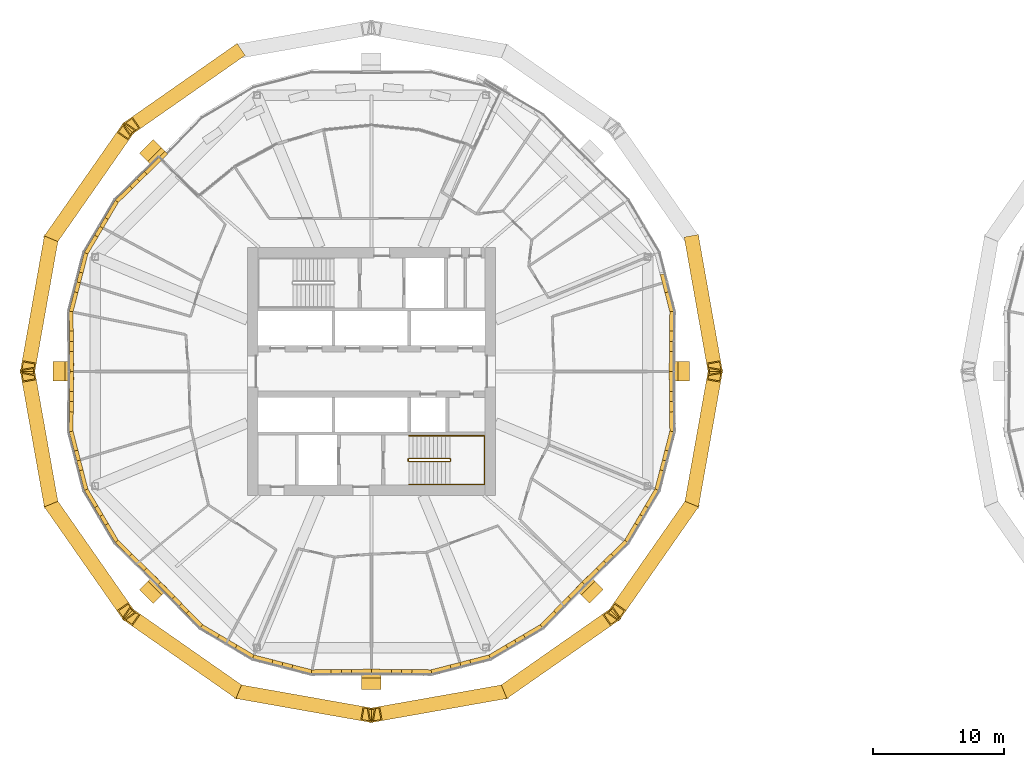
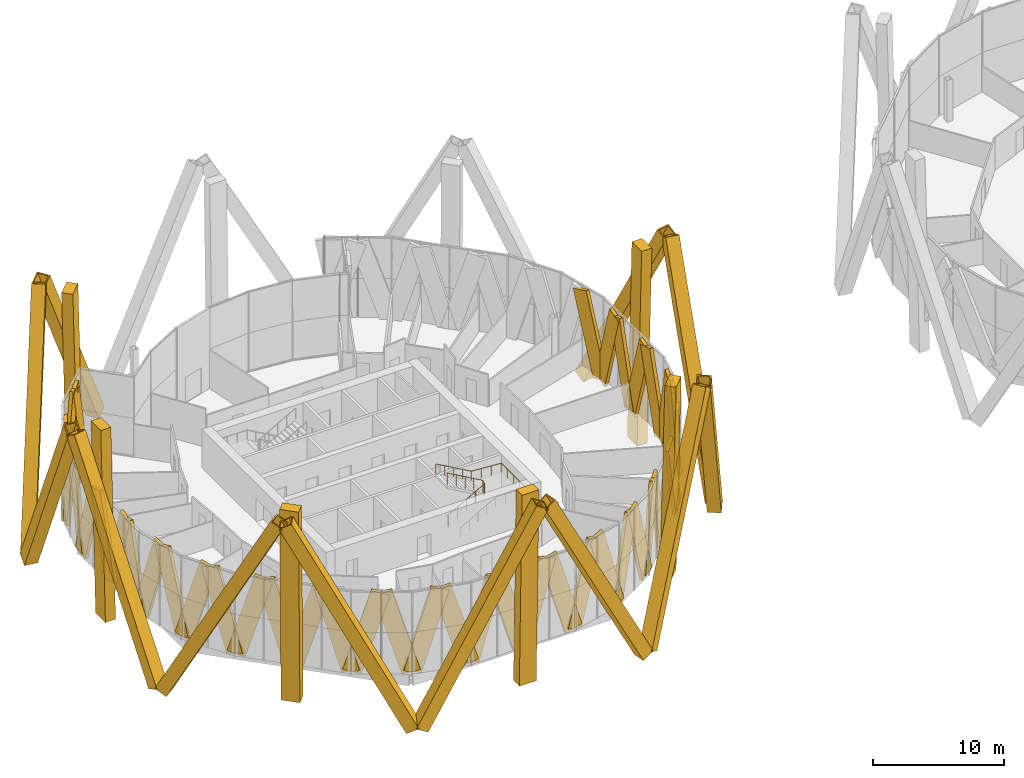
# One storey, part 28 of 31: 61 coverings, 2 railings.
"""IFC4 building model written with IfcOpenShell, lengths in metres."""

from ifc_helpers import new_model, si_unit, direction, frame, origin, origin_2d, place, context, subcontext, project, spatial, rectangle, hollow_rectangle, circle, extrude, material, material_profile, profile_set, type_object, element, save


model = new_model("IFC4")

# Units and contexts
model_context = context("Model", 3, precision=1e-05, world=origin(), true_north=direction((0.0, 1.0)))
body_context = subcontext(model_context, "Body", "Model", "MODEL_VIEW")
ifc_project = project(units=[si_unit("LENGTHUNIT", "METRE"), si_unit("AREAUNIT", "SQUARE_METRE"), si_unit("VOLUMEUNIT", "CUBIC_METRE"), si_unit("PLANEANGLEUNIT", "RADIAN"), si_unit("MASSUNIT", "GRAM", prefix="KILO")], contexts=[model_context])

# Site, building, storey
site_placement = place(None, origin())
site = spatial("IfcSite", under=ifc_project, at=site_placement, CompositionType="ELEMENT")
building_placement = place(site_placement, origin())
building = spatial("IfcBuilding", under=site, at=building_placement, Name="Ogive Gate Towers", CompositionType="ELEMENT")
storey_placement = place(building_placement, frame((0.0, 0.0, 55.800048828125)))
storey = spatial("IfcBuildingStorey", under=building, at=storey_placement, Name="L12", CompositionType="ELEMENT", Elevation=55.800048828125)

# Coverings
ifc_material_1 = material(Name="Pale metal aluminium", Category="aluminium")
ifc_material_profile_1 = material_profile(ifc_material_1, rectangle(XDim=1.5, YDim=0.89990234375, at=origin_2d()), Name="1500 x 900 pale metal aluminium")
ifc_profile_set_1 = profile_set([ifc_material_profile_1], Name="Pale metal aluminium")
covering_type_1 = type_object("IfcCoveringType", Name="Crease colonnette 1500 x 900", PredefinedType="CLADDING", material=ifc_profile_set_1)
for number, where, z_axis, x_axis, name in (
    (1, (-12.489990234375, 0.0, -3.199951171875), (0.022641455512, 0.0, 0.999743649388), (0.0, 1.0, 0.0), "Crease colonnette"),
    (2, (-52.6240234375, 16.6240234375, -3.199951171875), (-0.016020274109, 0.016020274109, 0.999743317875), (-0.707106781187, -0.707106781187, 0.0), "Crease colonnette"),
    (3, (-59.510009765625, 0.0, -3.199951171875), (-0.022641455512, 0.0, 0.999743649388), (0.0, -1.0, 0.0), "Crease colonnette"),
    (4, (-52.6240234375, -16.6240234375, -3.199951171875), (-0.016020274109, -0.016020274109, 0.999743317875), (0.707106781187, -0.707106781187, 0.0), "Crease colonnette"),
    (5, (-36.0, -23.510009765625, -3.199951171875), (0.0, -0.022641455512, 0.999743649388), (1.0, 0.0, 0.0), "Crease colonnette"),
    (6, (-19.3759765625, -16.6240234375, -3.199951171875), (0.016020274109, -0.016020274109, 0.999743317875), (0.707106781187, 0.707106781187, 0.0), "Crease colonnette"),
):
    element("IfcCovering", number, at=place(storey_placement, frame(where, z_axis=z_axis, x_axis=x_axis)), inside=storey, type_object=covering_type_1, Name=name, PredefinedType="CLADDING", context=body_context, shape_type="SweptSolid", body=[
        extrude(rectangle(XDim=1.5, YDim=0.89990234375, at=origin_2d()), origin(), (0.0, 0.0, 1.0), 18.1044921875),
    ])
ifc_material_2 = material(Name="Pale metal aluminium cladding", Category="aluminium")
ifc_material_profile_2 = material_profile(ifc_material_2, hollow_rectangle(XDim=1.10009765625, YDim=1.10009765625, WallThickness=0.10009765625, at=origin_2d()), Name="1100 x 1100 pale metal casing")
ifc_profile_set_2 = profile_set([ifc_material_profile_2], Name="Pale metal aluminium cladding")
covering_type_2 = type_object("IfcCoveringType", Name="Diagrid casing 1100 x 1100", PredefinedType="CLADDING", material=ifc_profile_set_2)
for number, where, z_axis, x_axis, name in (
    (7, (-11.426025390625, 9.906982421875, -3.4140625), (0.081633060941, -0.460529727874, 0.8838825788), (0.984650404569, 0.174538192904, 0.0), "Diagrid casing"),
    (8, (-46.37109375, 24.381591796875, -3.4140625), (-0.383368285063, -0.267924536079, 0.88388076174), (0.572840470443, -0.819666880765, 0.0), "Diagrid casing"),
    (9, (-60.381591796875, 10.37109375, -3.4140625), (0.267924536079, 0.383368285063, 0.88388076174), (-0.819666880765, 0.572840470443, 0.0), "Diagrid casing"),
    (10, (-60.573974609375, 9.906982421875, -3.4140625), (-0.081633060941, -0.460529727874, 0.8838825788), (0.984650404569, -0.174538192904, 0.0), "Diagrid casing"),
    (11, (-60.573974609375, -9.906982421875, -3.4140625), (-0.081633060941, 0.460529727874, 0.8838825788), (-0.984650404569, -0.174538192904, 0.0), "Diagrid casing"),
    (12, (-60.381591796875, -10.37109375, -3.4140625), (0.267924536079, -0.383368285063, 0.88388076174), (0.819666880765, 0.572840470443, 0.0), "Diagrid casing"),
    (13, (-46.37109375, -24.381591796875, -3.4140625), (-0.383368285063, 0.267924536079, 0.88388076174), (-0.572840470443, -0.819666880765, 0.0), "Diagrid casing"),
    (14, (-45.906982421875, -24.573974609375, -3.4140625), (0.460529727874, -0.081633060941, 0.8838825788), (0.174538192904, 0.984650404569, 0.0), "Diagrid casing"),
    (15, (-26.093017578125, -24.573974609375, -3.4140625), (-0.460529727874, -0.081633060941, 0.8838825788), (0.174538192904, -0.984650404569, 0.0), "Diagrid casing"),
    (16, (-25.62890625, -24.381591796875, -3.4140625), (0.383368285063, 0.267924536079, 0.88388076174), (-0.572840470443, 0.819666880765, 0.0), "Diagrid casing"),
    (17, (-11.618408203125, -10.37109375, -3.4140625), (-0.267924536079, -0.383368285063, 0.88388076174), (0.819666880765, -0.572840470443, 0.0), "Diagrid casing"),
    (18, (-11.426025390625, -9.906982421875, -3.4140625), (0.081633060941, 0.460529727874, 0.8838825788), (-0.984650404569, 0.174538192904, 0.0), "Diagrid casing"),
):
    element("IfcCovering", number, at=place(storey_placement, frame(where, z_axis=z_axis, x_axis=x_axis)), inside=storey, type_object=covering_type_2, Name=name, PredefinedType="CLADDING", context=body_context, shape_type="SweptSolid", body=[
        extrude(hollow_rectangle(XDim=1.10009765625, YDim=1.10009765625, WallThickness=0.10009765625, at=origin_2d()), origin(), (0.0, 0.0, 1.0), 20.9619140625),
    ])
ifc_material_profile_3 = material_profile(ifc_material_1, rectangle(XDim=0.300048828125, YDim=1.5, at=origin_2d()), Name="1500 x 300 pale metal aluminium")
ifc_profile_set_3 = profile_set([ifc_material_profile_3], Name="Pale metal aluminium")
covering_type_3 = type_object("IfcCoveringType", Name="Facade fin 1500 x 300", PredefinedType="CLADDING", material=ifc_profile_set_3)
covering_1_placement = place(storey_placement, frame((-13.011962890625, 4.61865234375, -0.135009765625), z_axis=(-0.071405278289, 0.277718929024, 0.958004949201), x_axis=(-0.96849979633, -0.249014345988, 0.0)))
element("IfcCovering", 19, at=covering_1_placement, inside=storey, type_object=covering_type_3, Name="Facade fin", PredefinedType="CLADDING", context=body_context, shape_type="SweptSolid", body=[
    extrude(rectangle(XDim=0.300048828125, YDim=1.5, at=origin_2d()), origin(), (0.0, 0.0, 1.0), 7.69287109375),
])
for number, where, z_axis, x_axis, name in (
    (20, (-13.003173828125, 4.5478515625, -0.137451171875), (-0.002920753396, -0.283313079381, 0.959023028009), (0.999946863625, -0.010308730553, 0.0), "Facade fin"),
    (21, (-13.04931640625, 0.06494140625, -0.137451171875), (0.002920753396, 0.283313079381, 0.959023028009), (-0.999946863625, 0.010308730553, 0.0), "Facade fin"),
    (22, (-58.95068359375, 0.06494140625, -0.137451171875), (-0.002920753396, 0.283313079381, 0.959023028009), (-0.999946863625, -0.010308730553, 0.0), "Facade fin"),
    (23, (-58.996826171875, 4.5478515625, -0.137451171875), (0.002920753396, -0.283313079381, 0.959023028009), (0.999946863625, 0.010308730553, 0.0), "Facade fin"),
):
    element("IfcCovering", number, at=place(storey_placement, frame(where, z_axis=z_axis, x_axis=x_axis)), inside=storey, type_object=covering_type_3, Name=name, PredefinedType="CLADDING", context=body_context, shape_type="SweptSolid", body=[
        extrude(rectangle(XDim=0.300048828125, YDim=1.5, at=origin_2d()), origin(), (0.0, 0.0, 1.0), 7.690185546875),
    ])
covering_2_placement = place(storey_placement, frame((-58.988037109375, 4.61865234375, -0.135009765625), z_axis=(0.071405278289, 0.277718929024, 0.958004949201), x_axis=(-0.96849979633, 0.249014345988, 0.0)))
element("IfcCovering", 24, at=covering_2_placement, inside=storey, type_object=covering_type_3, Name="Facade fin", PredefinedType="CLADDING", context=body_context, shape_type="SweptSolid", body=[
    extrude(rectangle(XDim=0.300048828125, YDim=1.5, at=origin_2d()), origin(), (0.0, 0.0, 1.0), 7.69287109375),
])
covering_3_placement = place(storey_placement, frame((-57.857421875, 9.0166015625, -0.135009765625), z_axis=(-0.071404648924, -0.277748216613, 0.957996505359), x_axis=(0.968506657857, -0.248987657699, 0.0)))
element("IfcCovering", 25, at=covering_3_placement, inside=storey, type_object=covering_type_3, Name="Facade fin", PredefinedType="CLADDING", context=body_context, shape_type="SweptSolid", body=[
    extrude(rectangle(XDim=0.300048828125, YDim=1.5, at=origin_2d()), origin(), (0.0, 0.0, 1.0), 7.693115234375),
])
covering_4_placement = place(storey_placement, frame((-57.831298828125, 9.079833984375, -0.135009765625), z_axis=(0.145919775479, 0.246870363952, 0.957999187122), x_axis=(-0.860862630636, 0.508837430989, 0.0)))
element("IfcCovering", 26, at=covering_4_placement, inside=storey, type_object=covering_type_3, Name="Facade fin", PredefinedType="CLADDING", context=body_context, shape_type="SweptSolid", body=[
    extrude(rectangle(XDim=0.300048828125, YDim=1.5, at=origin_2d()), origin(), (0.0, 0.0, 1.0), 7.69287109375),
])
covering_5_placement = place(storey_placement, frame((-55.520751953125, 12.9892578125, -0.135009765625), z_axis=(-0.145918632203, -0.246900164972, 0.957991681234), x_axis=(0.860891279415, -0.508788959223, 0.0)))
element("IfcCovering", 27, at=covering_5_placement, inside=storey, type_object=covering_type_3, Name="Facade fin", PredefinedType="CLADDING", context=body_context, shape_type="SweptSolid", body=[
    extrude(rectangle(XDim=0.300048828125, YDim=1.5, at=origin_2d()), origin(), (0.0, 0.0, 1.0), 7.693115234375),
])
covering_6_placement = place(storey_placement, frame((-55.47509765625, 13.04736328125, -0.13330078125), z_axis=(0.206424972085, 0.20220509485, 0.957341021014), x_axis=(-0.699767255919, 0.714370903343, 0.0)))
element("IfcCovering", 28, at=covering_6_placement, inside=storey, type_object=covering_type_3, Name="Facade fin", PredefinedType="CLADDING", context=body_context, shape_type="SweptSolid", body=[
    extrude(rectangle(XDim=0.300048828125, YDim=1.5, at=origin_2d()), origin(), (0.0, 0.0, 1.0), 7.69482421875),
])
covering_7_placement = place(storey_placement, frame((-52.205078125, 16.250732421875, -0.13330078125), z_axis=(-0.206394595374, -0.202206419111, 0.957347290731), x_axis=(0.69982214738, -0.714317129877, 0.0)))
element("IfcCovering", 29, at=covering_7_placement, inside=storey, type_object=covering_type_3, Name="Facade fin", PredefinedType="CLADDING", context=body_context, shape_type="SweptSolid", body=[
    extrude(rectangle(XDim=0.300048828125, YDim=1.5, at=origin_2d()), origin(), (0.0, 0.0, 1.0), 7.694580078125),
])
for number, where, z_axis, x_axis, name in (
    (30, (-52.2744140625, -16.1826171875, -0.137451171875), (-0.202389732074, 0.19826256891, 0.959025729645), (-0.699785669769, -0.714352865457, 0.0), "Facade fin"),
    (31, (-55.47705078125, -13.04541015625, -0.137451171875), (0.202389732074, -0.19826256891, 0.959025729645), (0.699785669769, 0.714352865457, 0.0), "Facade fin"),
):
    element("IfcCovering", number, at=place(storey_placement, frame(where, z_axis=z_axis, x_axis=x_axis)), inside=storey, type_object=covering_type_3, Name=name, PredefinedType="CLADDING", context=body_context, shape_type="SweptSolid", body=[
        extrude(rectangle(XDim=0.300048828125, YDim=1.5, at=origin_2d()), origin(), (0.0, 0.0, 1.0), 7.690185546875),
    ])
covering_8_placement = place(storey_placement, frame((-55.520751953125, -12.9892578125, -0.135009765625), z_axis=(-0.145918632203, 0.246900164972, 0.957991681234), x_axis=(-0.860891279415, -0.508788959223, 0.0)))
element("IfcCovering", 32, at=covering_8_placement, inside=storey, type_object=covering_type_3, Name="Facade fin", PredefinedType="CLADDING", context=body_context, shape_type="SweptSolid", body=[
    extrude(rectangle(XDim=0.300048828125, YDim=1.5, at=origin_2d()), origin(), (0.0, 0.0, 1.0), 7.693115234375),
])
covering_9_placement = place(storey_placement, frame((-57.831298828125, -9.079833984375, -0.135009765625), z_axis=(0.145919775479, -0.246870363952, 0.957999187122), x_axis=(0.860862630636, 0.508837430989, 0.0)))
element("IfcCovering", 33, at=covering_9_placement, inside=storey, type_object=covering_type_3, Name="Facade fin", PredefinedType="CLADDING", context=body_context, shape_type="SweptSolid", body=[
    extrude(rectangle(XDim=0.300048828125, YDim=1.5, at=origin_2d()), origin(), (0.0, 0.0, 1.0), 7.69287109375),
])
covering_10_placement = place(storey_placement, frame((-57.857421875, -9.0166015625, -0.135009765625), z_axis=(-0.071404648924, 0.277748216613, 0.957996505359), x_axis=(-0.968506657857, -0.248987657699, 0.0)))
element("IfcCovering", 34, at=covering_10_placement, inside=storey, type_object=covering_type_3, Name="Facade fin", PredefinedType="CLADDING", context=body_context, shape_type="SweptSolid", body=[
    extrude(rectangle(XDim=0.300048828125, YDim=1.5, at=origin_2d()), origin(), (0.0, 0.0, 1.0), 7.693115234375),
])
covering_11_placement = place(storey_placement, frame((-58.988037109375, -4.61865234375, -0.135009765625), z_axis=(0.071405278289, -0.277718929024, 0.958004949201), x_axis=(0.96849979633, 0.249014345988, 0.0)))
element("IfcCovering", 35, at=covering_11_placement, inside=storey, type_object=covering_type_3, Name="Facade fin", PredefinedType="CLADDING", context=body_context, shape_type="SweptSolid", body=[
    extrude(rectangle(XDim=0.300048828125, YDim=1.5, at=origin_2d()), origin(), (0.0, 0.0, 1.0), 7.69287109375),
])
for number, where, z_axis, x_axis, name in (
    (36, (-58.996826171875, -4.5478515625, -0.137451171875), (0.002920753396, 0.283313079381, 0.959023028009), (-0.999946863625, 0.010308730553, 0.0), "Facade fin"),
    (37, (-58.95068359375, -0.06494140625, -0.137451171875), (-0.002920753396, -0.283313079381, 0.959023028009), (0.999946863625, -0.010308730553, 0.0), "Facade fin"),
    (38, (-36.06494140625, -22.95068359375, -0.137451171875), (-0.283313079381, -0.002920753396, 0.959023028009), (0.010308730553, -0.999946863625, 0.0), "Facade fin"),
    (39, (-40.5478515625, -22.996826171875, -0.137451171875), (0.283313079381, 0.002920753396, 0.959023028009), (-0.010308730553, 0.999946863625, 0.0), "Facade fin"),
):
    element("IfcCovering", number, at=place(storey_placement, frame(where, z_axis=z_axis, x_axis=x_axis)), inside=storey, type_object=covering_type_3, Name=name, PredefinedType="CLADDING", context=body_context, shape_type="SweptSolid", body=[
        extrude(rectangle(XDim=0.300048828125, YDim=1.5, at=origin_2d()), origin(), (0.0, 0.0, 1.0), 7.690185546875),
    ])
covering_12_placement = place(storey_placement, frame((-40.61865234375, -22.988037109375, -0.135009765625), z_axis=(-0.277718929024, 0.071405278289, 0.958004949201), x_axis=(-0.249014345988, -0.96849979633, 0.0)))
element("IfcCovering", 40, at=covering_12_placement, inside=storey, type_object=covering_type_3, Name="Facade fin", PredefinedType="CLADDING", context=body_context, shape_type="SweptSolid", body=[
    extrude(rectangle(XDim=0.300048828125, YDim=1.5, at=origin_2d()), origin(), (0.0, 0.0, 1.0), 7.69287109375),
])
covering_13_placement = place(storey_placement, frame((-45.0166015625, -21.857421875, -0.135009765625), z_axis=(0.277748216613, -0.071404648924, 0.957996505359), x_axis=(0.248987657699, 0.968506657857, 0.0)))
element("IfcCovering", 41, at=covering_13_placement, inside=storey, type_object=covering_type_3, Name="Facade fin", PredefinedType="CLADDING", context=body_context, shape_type="SweptSolid", body=[
    extrude(rectangle(XDim=0.300048828125, YDim=1.5, at=origin_2d()), origin(), (0.0, 0.0, 1.0), 7.693115234375),
])
covering_14_placement = place(storey_placement, frame((-45.079833984375, -21.831298828125, -0.135009765625), z_axis=(-0.246870363952, 0.145919775479, 0.957999187122), x_axis=(-0.508837430989, -0.860862630636, 0.0)))
element("IfcCovering", 42, at=covering_14_placement, inside=storey, type_object=covering_type_3, Name="Facade fin", PredefinedType="CLADDING", context=body_context, shape_type="SweptSolid", body=[
    extrude(rectangle(XDim=0.300048828125, YDim=1.5, at=origin_2d()), origin(), (0.0, 0.0, 1.0), 7.69287109375),
])
covering_15_placement = place(storey_placement, frame((-48.9892578125, -19.520751953125, -0.135009765625), z_axis=(0.246900164972, -0.145918632203, 0.957991681234), x_axis=(0.508788959223, 0.860891279415, 0.0)))
element("IfcCovering", 43, at=covering_15_placement, inside=storey, type_object=covering_type_3, Name="Facade fin", PredefinedType="CLADDING", context=body_context, shape_type="SweptSolid", body=[
    extrude(rectangle(XDim=0.300048828125, YDim=1.5, at=origin_2d()), origin(), (0.0, 0.0, 1.0), 7.693115234375),
])
for number, where, z_axis, x_axis, name in (
    (44, (-49.04541015625, -19.47705078125, -0.137451171875), (-0.19826256891, 0.202389732074, 0.959025729645), (-0.714352865457, -0.699785669769, 0.0), "Facade fin"),
    (45, (-52.1826171875, -16.2744140625, -0.137451171875), (0.19826256891, -0.202389732074, 0.959025729645), (0.714352865457, 0.699785669769, 0.0), "Facade fin"),
    (46, (-19.8173828125, -16.2744140625, -0.137451171875), (-0.19826256891, -0.202389732074, 0.959025729645), (0.714352865457, -0.699785669769, 0.0), "Facade fin"),
    (47, (-22.95458984375, -19.47705078125, -0.137451171875), (0.19826256891, 0.202389732074, 0.959025729645), (-0.714352865457, 0.699785669769, 0.0), "Facade fin"),
):
    element("IfcCovering", number, at=place(storey_placement, frame(where, z_axis=z_axis, x_axis=x_axis)), inside=storey, type_object=covering_type_3, Name=name, PredefinedType="CLADDING", context=body_context, shape_type="SweptSolid", body=[
        extrude(rectangle(XDim=0.300048828125, YDim=1.5, at=origin_2d()), origin(), (0.0, 0.0, 1.0), 7.690185546875),
    ])
covering_16_placement = place(storey_placement, frame((-23.0107421875, -19.520751953125, -0.135009765625), z_axis=(-0.246900164972, -0.145918632203, 0.957991681234), x_axis=(0.508788959223, -0.860891279415, 0.0)))
element("IfcCovering", 48, at=covering_16_placement, inside=storey, type_object=covering_type_3, Name="Facade fin", PredefinedType="CLADDING", context=body_context, shape_type="SweptSolid", body=[
    extrude(rectangle(XDim=0.300048828125, YDim=1.5, at=origin_2d()), origin(), (0.0, 0.0, 1.0), 7.693115234375),
])
covering_17_placement = place(storey_placement, frame((-26.920166015625, -21.831298828125, -0.135009765625), z_axis=(0.246870363952, 0.145919775479, 0.957999187122), x_axis=(-0.508837430989, 0.860862630636, 0.0)))
element("IfcCovering", 49, at=covering_17_placement, inside=storey, type_object=covering_type_3, Name="Facade fin", PredefinedType="CLADDING", context=body_context, shape_type="SweptSolid", body=[
    extrude(rectangle(XDim=0.300048828125, YDim=1.5, at=origin_2d()), origin(), (0.0, 0.0, 1.0), 7.69287109375),
])
covering_18_placement = place(storey_placement, frame((-26.9833984375, -21.857421875, -0.135009765625), z_axis=(-0.277748216613, -0.071404648924, 0.957996505359), x_axis=(0.248987657699, -0.968506657857, 0.0)))
element("IfcCovering", 50, at=covering_18_placement, inside=storey, type_object=covering_type_3, Name="Facade fin", PredefinedType="CLADDING", context=body_context, shape_type="SweptSolid", body=[
    extrude(rectangle(XDim=0.300048828125, YDim=1.5, at=origin_2d()), origin(), (0.0, 0.0, 1.0), 7.693115234375),
])
covering_19_placement = place(storey_placement, frame((-31.38134765625, -22.988037109375, -0.135009765625), z_axis=(0.277718929024, 0.071405278289, 0.958004949201), x_axis=(-0.249014345988, 0.96849979633, 0.0)))
element("IfcCovering", 51, at=covering_19_placement, inside=storey, type_object=covering_type_3, Name="Facade fin", PredefinedType="CLADDING", context=body_context, shape_type="SweptSolid", body=[
    extrude(rectangle(XDim=0.300048828125, YDim=1.5, at=origin_2d()), origin(), (0.0, 0.0, 1.0), 7.69287109375),
])
for number, where, z_axis, x_axis, name in (
    (52, (-31.4521484375, -22.996826171875, -0.137451171875), (-0.283313079381, 0.002920753396, 0.959023028009), (-0.010308730553, -0.999946863625, 0.0), "Facade fin"),
    (53, (-35.93505859375, -22.95068359375, -0.137451171875), (0.283313079381, -0.002920753396, 0.959023028009), (0.010308730553, 0.999946863625, 0.0), "Facade fin"),
    (54, (-13.04931640625, -0.06494140625, -0.137451171875), (0.002920753396, -0.283313079381, 0.959023028009), (0.999946863625, 0.010308730553, 0.0), "Facade fin"),
    (55, (-13.003173828125, -4.5478515625, -0.137451171875), (-0.002920753396, 0.283313079381, 0.959023028009), (-0.999946863625, -0.010308730553, 0.0), "Facade fin"),
):
    element("IfcCovering", number, at=place(storey_placement, frame(where, z_axis=z_axis, x_axis=x_axis)), inside=storey, type_object=covering_type_3, Name=name, PredefinedType="CLADDING", context=body_context, shape_type="SweptSolid", body=[
        extrude(rectangle(XDim=0.300048828125, YDim=1.5, at=origin_2d()), origin(), (0.0, 0.0, 1.0), 7.690185546875),
    ])
covering_20_placement = place(storey_placement, frame((-13.011962890625, -4.61865234375, -0.135009765625), z_axis=(-0.071405278289, -0.277718929024, 0.958004949201), x_axis=(0.96849979633, -0.249014345988, 0.0)))
element("IfcCovering", 56, at=covering_20_placement, inside=storey, type_object=covering_type_3, Name="Facade fin", PredefinedType="CLADDING", context=body_context, shape_type="SweptSolid", body=[
    extrude(rectangle(XDim=0.300048828125, YDim=1.5, at=origin_2d()), origin(), (0.0, 0.0, 1.0), 7.69287109375),
])
covering_21_placement = place(storey_placement, frame((-14.142578125, -9.0166015625, -0.135009765625), z_axis=(0.071404648924, 0.277748216613, 0.957996505359), x_axis=(-0.968506657857, 0.248987657699, 0.0)))
element("IfcCovering", 57, at=covering_21_placement, inside=storey, type_object=covering_type_3, Name="Facade fin", PredefinedType="CLADDING", context=body_context, shape_type="SweptSolid", body=[
    extrude(rectangle(XDim=0.300048828125, YDim=1.5, at=origin_2d()), origin(), (0.0, 0.0, 1.0), 7.693115234375),
])
covering_22_placement = place(storey_placement, frame((-14.168701171875, -9.079833984375, -0.135009765625), z_axis=(-0.145919775479, -0.246870363952, 0.957999187122), x_axis=(0.860862630636, -0.508837430989, 0.0)))
element("IfcCovering", 58, at=covering_22_placement, inside=storey, type_object=covering_type_3, Name="Facade fin", PredefinedType="CLADDING", context=body_context, shape_type="SweptSolid", body=[
    extrude(rectangle(XDim=0.300048828125, YDim=1.5, at=origin_2d()), origin(), (0.0, 0.0, 1.0), 7.69287109375),
])
covering_23_placement = place(storey_placement, frame((-16.479248046875, -12.9892578125, -0.135009765625), z_axis=(0.145918632203, 0.246900164972, 0.957991681234), x_axis=(-0.860891279415, 0.508788959223, 0.0)))
element("IfcCovering", 59, at=covering_23_placement, inside=storey, type_object=covering_type_3, Name="Facade fin", PredefinedType="CLADDING", context=body_context, shape_type="SweptSolid", body=[
    extrude(rectangle(XDim=0.300048828125, YDim=1.5, at=origin_2d()), origin(), (0.0, 0.0, 1.0), 7.693115234375),
])
for number, where, z_axis, x_axis, name in (
    (60, (-16.52294921875, -13.04541015625, -0.137451171875), (-0.202389732074, -0.19826256891, 0.959025729645), (0.699785669769, -0.714352865457, 0.0), "Facade fin"),
    (61, (-19.7255859375, -16.1826171875, -0.137451171875), (0.202389732074, 0.19826256891, 0.959025729645), (-0.699785669769, 0.714352865457, 0.0), "Facade fin"),
):
    element("IfcCovering", number, at=place(storey_placement, frame(where, z_axis=z_axis, x_axis=x_axis)), inside=storey, type_object=covering_type_3, Name=name, PredefinedType="CLADDING", context=body_context, shape_type="SweptSolid", body=[
        extrude(rectangle(XDim=0.300048828125, YDim=1.5, at=origin_2d()), origin(), (0.0, 0.0, 1.0), 7.690185546875),
    ])

# Railings
ifc_material_3 = material(Name="Stainless steel", Category="steel")
railing_type_1 = type_object("IfcRailingType", Name="Stair guard 1100", PredefinedType="GUARDRAIL", material=ifc_material_3)
railing_1_placement = place(storey_placement, frame((-33.18505859375, -6.860107421875, 0.0)))
element("IfcRailing", 62, at=railing_1_placement, inside=storey, type_object=railing_type_1, Name="L12 ST2 stair guard 1", PredefinedType="GUARDRAIL", context=body_context, shape_type="SweptSolid", body=[
    extrude(circle(Radius=0.02392578125, at=origin_2d()), frame((0.0, 0.0, 1.076171875), z_axis=(0.0, 1.0, 0.0), x_axis=(-1.0, 0.0, 0.0)), (0.0, 0.0, 1.0), 0.14501953125),
    extrude(circle(Radius=0.02392578125, at=origin_2d()), frame((0.0, 0.14501953125, 1.076171875), z_axis=(0.186679794065, -0.726685247142, 0.661119660934), x_axis=(0.968551454522, 0.24881334358, 0.0)), (0.0, 0.0, 1.0), 0.26806640625),
    extrude(circle(Radius=0.02392578125, at=origin_2d()), frame((0.050048828125, -0.0498046875, 1.25341796875), z_axis=(0.870572935281, 0.0, 0.492039393094), x_axis=(0.0, 1.0, 0.0)), (0.0, 0.0, 1.0), 3.602783203125),
    extrude(circle(Radius=0.02392578125, at=origin_2d()), frame((3.1865234375, -0.0498046875, 3.02587890625), z_axis=(0.707106781187, 0.707106781187, 0.0), x_axis=(-0.707106781187, 0.707106781187, 0.0)), (0.0, 0.0, 1.0), 0.0703125),
    extrude(circle(Radius=0.02392578125, at=origin_2d()), frame((3.236328125, 0.0, 3.02587890625), z_axis=(0.0, 1.0, 0.0), x_axis=(-1.0, 0.0, 0.0)), (0.0, 0.0, 1.0), 0.14501953125),
    extrude(circle(Radius=0.02392578125, at=origin_2d()), frame((3.236328125, 0.14501953125, 3.02587890625), z_axis=(-0.261041864531, 0.262321481514, 0.929001929653), x_axis=(-0.708833529934, -0.705375805398, 0.0)), (0.0, 0.0, 1.0), 0.190673828125),
    extrude(circle(Radius=0.02392578125, at=origin_2d()), frame((3.1865234375, 0.195068359375, 3.203125), z_axis=(-0.870572935281, 0.0, 0.492039393094), x_axis=(0.0, -1.0, 0.0)), (0.0, 0.0, 1.0), 3.602783203125),
    extrude(circle(Radius=0.02099609375, at=origin_2d()), origin(), (0.0, 0.0, 1.0), 1.052001953125),
    extrude(circle(Radius=0.02099609375, at=origin_2d()), frame((0.0, 0.14501953125, 0.0)), (0.0, 0.0, 1.0), 1.052001953125),
    extrude(circle(Radius=0.02099609375, at=origin_2d()), frame((0.050048828125, -0.0498046875, 0.17724609375)), (0.0, 0.0, 1.0), 1.052001953125),
    extrude(circle(Radius=0.02099609375, at=origin_2d()), frame((0.834228515625, -0.0498046875, 0.620361328125)), (0.0, 0.0, 1.0), 1.052001953125),
    extrude(circle(Radius=0.02099609375, at=origin_2d()), frame((1.6181640625, -0.0498046875, 1.0634765625)), (0.0, 0.0, 1.0), 1.052001953125),
    extrude(circle(Radius=0.02099609375, at=origin_2d()), frame((2.40234375, -0.0498046875, 1.5068359375)), (0.0, 0.0, 1.0), 1.052001953125),
    extrude(circle(Radius=0.02099609375, at=origin_2d()), frame((3.1865234375, -0.0498046875, 1.949951171875)), (0.0, 0.0, 1.0), 1.052001953125),
    extrude(circle(Radius=0.02099609375, at=origin_2d()), frame((3.236328125, 0.0, 1.949951171875)), (0.0, 0.0, 1.0), 1.052001953125),
    extrude(circle(Radius=0.02099609375, at=origin_2d()), frame((3.236328125, 0.14501953125, 1.949951171875)), (0.0, 0.0, 1.0), 1.052001953125),
    extrude(circle(Radius=0.02099609375, at=origin_2d()), frame((3.1865234375, 0.195068359375, 2.127197265625)), (0.0, 0.0, 1.0), 1.052001953125),
    extrude(circle(Radius=0.02099609375, at=origin_2d()), frame((2.40234375, 0.195068359375, 2.5703125)), (0.0, 0.0, 1.0), 1.052001953125),
    extrude(circle(Radius=0.02099609375, at=origin_2d()), frame((1.6181640625, 0.195068359375, 3.013671875)), (0.0, 0.0, 1.0), 1.052001953125),
    extrude(circle(Radius=0.02099609375, at=origin_2d()), frame((0.834228515625, 0.195068359375, 3.456787109375)), (0.0, 0.0, 1.0), 1.052001953125),
    extrude(circle(Radius=0.02099609375, at=origin_2d()), frame((0.050048828125, 0.195068359375, 3.89990234375)), (0.0, 0.0, 1.0), 1.052001953125),
])
railing_type_2 = type_object("IfcRailingType", Name="Stair handrail 900", PredefinedType="HANDRAIL", material=ifc_material_3)
railing_2_placement = place(storey_placement, frame((-33.135009765625, -8.64990234375, 0.17724609375)))
element("IfcRailing", 63, at=railing_2_placement, inside=storey, type_object=railing_type_2, Name="L12 ST2 stair handrail 1", PredefinedType="HANDRAIL", context=body_context, shape_type="SweptSolid", body=[
    extrude(circle(Radius=0.02392578125, at=origin_2d()), frame((0.0, 0.0, 0.8759765625), z_axis=(0.870572935281, 0.0, 0.492039393094), x_axis=(0.0, 1.0, 0.0)), (0.0, 0.0, 1.0), 3.602783203125),
    extrude(circle(Radius=0.02392578125, at=origin_2d()), frame((3.136474609375, 0.0, 2.6484375), z_axis=(1.0, 0.0, 0.0), x_axis=(0.0, 1.0, 0.0)), (0.0, 0.0, 1.0), 2.6484375),
    extrude(circle(Radius=0.02392578125, at=origin_2d()), frame((5.784912109375, 0.0, 2.6484375), z_axis=(0.0, 1.0, 0.0), x_axis=(-1.0, 0.0, 0.0)), (0.0, 0.0, 1.0), 3.724853515625),
    extrude(circle(Radius=0.02392578125, at=origin_2d()), frame((5.784912109375, 3.724853515625, 2.6484375), z_axis=(-0.997768031817, 0.0, 0.066775404784), x_axis=(0.0, -1.0, 0.0)), (0.0, 0.0, 1.0), 2.654296875),
    extrude(circle(Radius=0.02392578125, at=origin_2d()), frame((3.136474609375, 3.724853515625, 2.82568359375), z_axis=(-0.870572935281, 0.0, 0.492039393094), x_axis=(0.0, -1.0, 0.0)), (0.0, 0.0, 1.0), 3.602783203125),
    extrude(circle(Radius=0.02099609375, at=origin_2d()), origin(), (0.0, 0.0, 1.0), 0.851806640625),
    extrude(circle(Radius=0.02099609375, at=origin_2d()), frame((0.7841796875, 0.0, 0.443115234375)), (0.0, 0.0, 1.0), 0.851806640625),
    extrude(circle(Radius=0.02099609375, at=origin_2d()), frame((1.568359375, 0.0, 0.88623046875)), (0.0, 0.0, 1.0), 0.851806640625),
    extrude(circle(Radius=0.02099609375, at=origin_2d()), frame((2.352294921875, 0.0, 1.32958984375)), (0.0, 0.0, 1.0), 0.851806640625),
    extrude(circle(Radius=0.02099609375, at=origin_2d()), frame((3.136474609375, 0.0, 1.772705078125)), (0.0, 0.0, 1.0), 0.851806640625),
    extrude(circle(Radius=0.02099609375, at=origin_2d()), frame((4.019287109375, 0.0, 1.772705078125)), (0.0, 0.0, 1.0), 0.851806640625),
    extrude(circle(Radius=0.02099609375, at=origin_2d()), frame((4.902099609375, 0.0, 1.772705078125)), (0.0, 0.0, 1.0), 0.851806640625),
    extrude(circle(Radius=0.02099609375, at=origin_2d()), frame((5.784912109375, 0.0, 1.772705078125)), (0.0, 0.0, 1.0), 0.851806640625),
    extrude(circle(Radius=0.02099609375, at=origin_2d()), frame((5.784912109375, 0.93115234375, 1.772705078125)), (0.0, 0.0, 1.0), 0.851806640625),
    extrude(circle(Radius=0.02099609375, at=origin_2d()), frame((5.784912109375, 1.8623046875, 1.772705078125)), (0.0, 0.0, 1.0), 0.851806640625),
    extrude(circle(Radius=0.02099609375, at=origin_2d()), frame((5.784912109375, 2.793701171875, 1.772705078125)), (0.0, 0.0, 1.0), 0.851806640625),
    extrude(circle(Radius=0.02099609375, at=origin_2d()), frame((5.784912109375, 3.724853515625, 1.772705078125)), (0.0, 0.0, 1.0), 0.851806640625),
    extrude(circle(Radius=0.02099609375, at=origin_2d()), frame((4.902099609375, 3.724853515625, 1.831787109375)), (0.0, 0.0, 1.0), 0.851806640625),
    extrude(circle(Radius=0.02099609375, at=origin_2d()), frame((4.019287109375, 3.724853515625, 1.890869140625)), (0.0, 0.0, 1.0), 0.851806640625),
    extrude(circle(Radius=0.02099609375, at=origin_2d()), frame((3.136474609375, 3.724853515625, 1.949951171875)), (0.0, 0.0, 1.0), 0.851806640625),
    extrude(circle(Radius=0.02099609375, at=origin_2d()), frame((2.352294921875, 3.724853515625, 2.39306640625)), (0.0, 0.0, 1.0), 0.851806640625),
    extrude(circle(Radius=0.02099609375, at=origin_2d()), frame((1.568359375, 3.724853515625, 2.83642578125)), (0.0, 0.0, 1.0), 0.851806640625),
    extrude(circle(Radius=0.02099609375, at=origin_2d()), frame((0.7841796875, 3.724853515625, 3.279541015625)), (0.0, 0.0, 1.0), 0.851806640625),
    extrude(circle(Radius=0.02099609375, at=origin_2d()), frame((0.0, 3.724853515625, 3.72265625)), (0.0, 0.0, 1.0), 0.851806640625),
])

save(model, "model.ifc")
